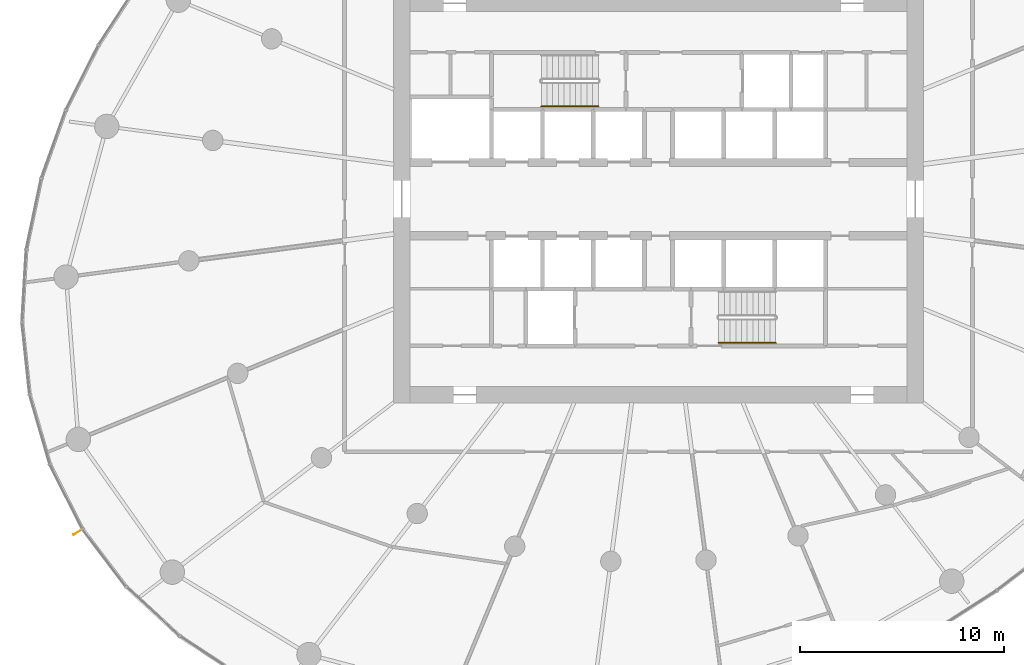
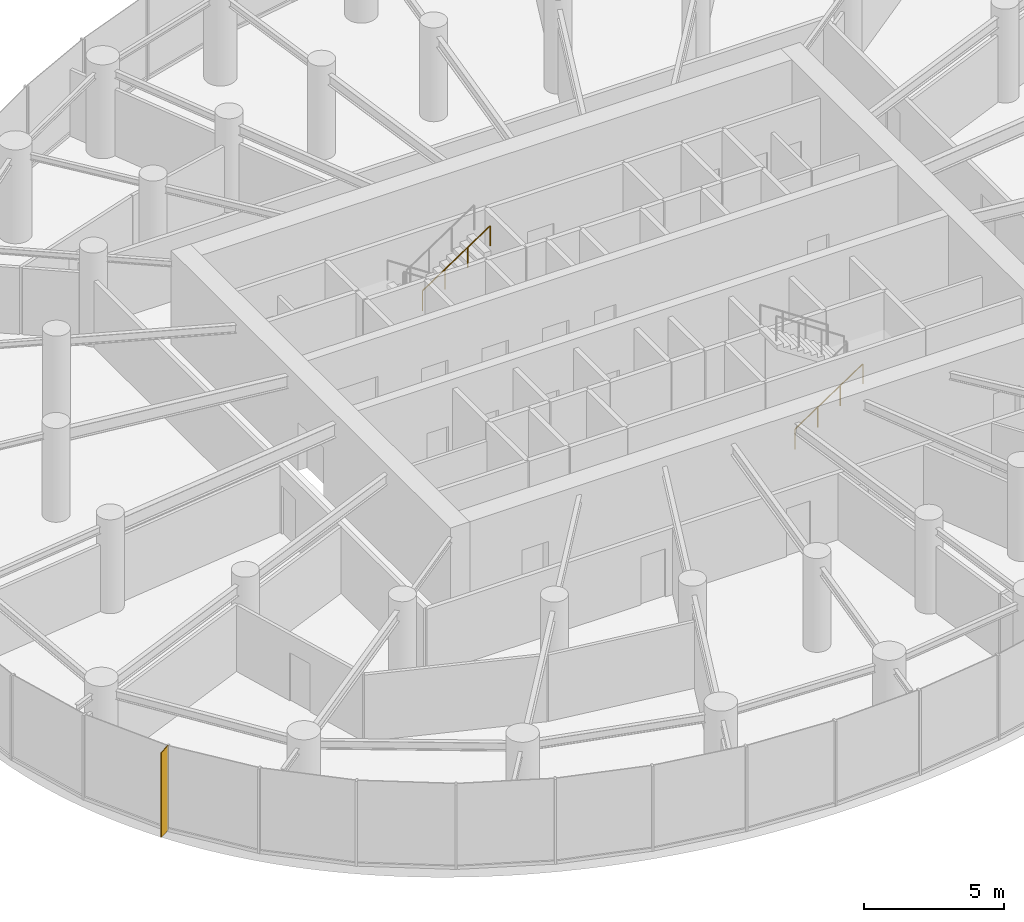
# One storey, part 15 of 17: 2 railings, 1 shading device.
"""IFC4 building model written with IfcOpenShell, lengths in metres."""

from ifc_helpers import new_model, si_unit, direction, frame, origin, origin_2d, place, context, subcontext, project, spatial, rectangle, circle, extrude, source, transform, mapped, material, material_profile, profile_set, type_object, element, save


model = new_model("IFC4")

# Units and contexts
model_context = context("Model", 3, precision=1e-05, world=origin(), true_north=direction((0.0, 1.0)))
body_context = subcontext(model_context, "Body", "Model", "MODEL_VIEW")
ifc_project = project(units=[si_unit("LENGTHUNIT", "METRE"), si_unit("AREAUNIT", "SQUARE_METRE"), si_unit("VOLUMEUNIT", "CUBIC_METRE"), si_unit("PLANEANGLEUNIT", "RADIAN"), si_unit("MASSUNIT", "GRAM", prefix="KILO")], contexts=[model_context])

# Site, building, storey
site_placement = place(None, origin())
site = spatial("IfcSite", under=ifc_project, at=site_placement, CompositionType="ELEMENT")
building_placement = place(site_placement, origin())
building = spatial("IfcBuilding", under=site, at=building_placement, Name="Spindrift Exchange Tower", CompositionType="ELEMENT")
storey_placement = place(building_placement, frame((0.0, 0.0, 108.5)))
storey = spatial("IfcBuildingStorey", under=building, at=storey_placement, Name="L25", CompositionType="ELEMENT", Elevation=108.5)

# Railings
ifc_material_1 = material(Name="Steel tubular handrail", Category="steel")
railing_type = type_object("IfcRailingType", Name="RL-STAIR-HAND", PredefinedType="HANDRAIL", material=ifc_material_1)
for number, where, name in (
    (1, (46.25, 52.550048828125, 2.236328125), "L25 ST1 stair handrail 2"),
    (2, (54.949951171875, 40.949951171875, 0.186279296875), "L25 ST2 stair handrail 1"),
):
    element("IfcRailing", number, at=place(storey_placement, frame(where)), inside=storey, type_object=railing_type, Name=name, PredefinedType="HANDRAIL", context=body_context, shape_type="SweptSolid", body=[
        extrude(circle(Radius=0.02392578125, at=origin_2d()), frame((0.0, 0.0, 0.8759765625), z_axis=(0.832452072856, 0.0, 0.554097055034), x_axis=(0.0, 1.0, 0.0)), (0.0, 0.0, 1.0), 3.363525390625),
        extrude(circle(Radius=0.02099609375, at=origin_2d()), origin(), (0.0, 0.0, 1.0), 0.851806640625),
        extrude(circle(Radius=0.02099609375, at=origin_2d()), frame((0.933349609375, 0.0, 0.621337890625)), (0.0, 0.0, 1.0), 0.851806640625),
        extrude(circle(Radius=0.02099609375, at=origin_2d()), frame((1.86669921875, 0.0, 1.242431640625)), (0.0, 0.0, 1.0), 0.851806640625),
        extrude(circle(Radius=0.02099609375, at=origin_2d()), frame((2.800048828125, 0.0, 1.86376953125)), (0.0, 0.0, 1.0), 0.851806640625),
    ])

# Shading device
ifc_material_2 = material(Name="Bronze anodised aluminium", Category="aluminium")
ifc_material_profile = material_profile(ifc_material_2, rectangle(XDim=0.030029296875, YDim=0.550048828125, at=origin_2d()), Name="WIND FIN 30X550")
ifc_profile_set = profile_set([ifc_material_profile], Name="Bronze anodised aluminium")
shading_device_type = type_object("IfcShadingDeviceType", Name="WIND FIN 30X550", PredefinedType="USERDEFINED", material=ifc_profile_set)
shared_shape = source(origin(), body_context, "Body", "SweptSolid", [
    extrude(rectangle(XDim=0.030029296875, YDim=0.550048828125, at=origin_2d()), origin(), (0.0, 0.0, 1.0), 3.699951171875),
])
shading_device_placement = place(storey_placement, frame((23.53759765625, 31.681396484375, 0.0), z_axis=(0.0, 0.0, 1.0), x_axis=(0.52887685778, -0.848698573879, 0.0)))
element("IfcShadingDevice", 3, at=shading_device_placement, inside=storey, type_object=shading_device_type, Name="L25 wind fin 1", ObjectType="FIN", PredefinedType="USERDEFINED", context=body_context, shape_type="MappedRepresentation", body=[
    mapped(shared_shape, transform((0.0, 0.0, 0.0), scale=1.0)),
])

save(model, "model.ifc")
